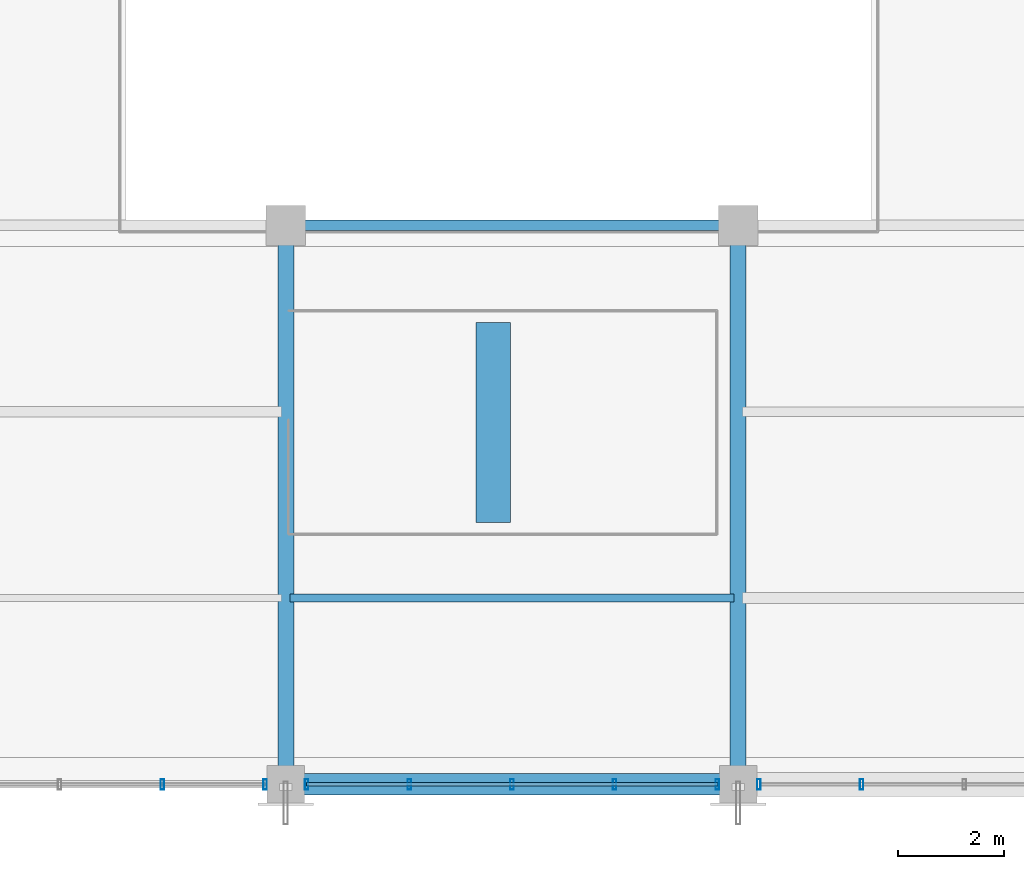
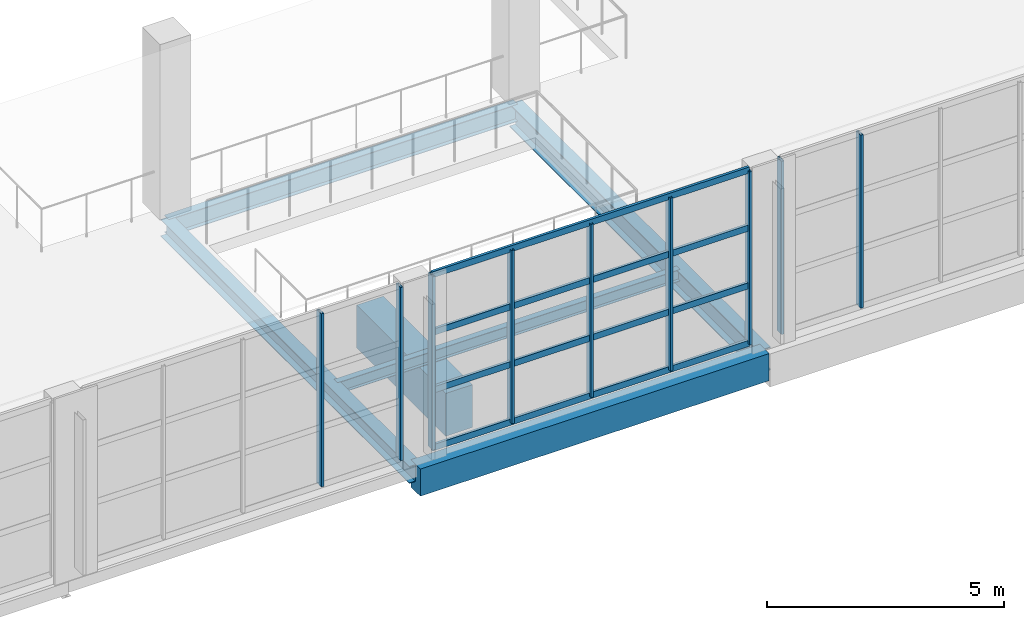
# One storey, part 14 of 101: 13 members, 6 beams, 3 elements without a shape of their own.
"""IFC4 building model written with IfcOpenShell, lengths in metres."""

from ifc_helpers import new_model, si_unit, direction, frame, origin, origin_2d, place, context, subcontext, project, spatial, rectangle, hollow_rectangle, i_section, extrude, material, material_profile, profile_set, type_object, element, aggregate, save


model = new_model("IFC4")

# Units and contexts
model_context = context("Model", 3, precision=1e-05, world=origin(), true_north=direction((0.0, 1.0)))
body_context = subcontext(model_context, "Body", "Model", "MODEL_VIEW")
ifc_project = project(units=[si_unit("LENGTHUNIT", "METRE"), si_unit("AREAUNIT", "SQUARE_METRE"), si_unit("VOLUMEUNIT", "CUBIC_METRE"), si_unit("PLANEANGLEUNIT", "RADIAN"), si_unit("MASSUNIT", "GRAM", prefix="KILO")], contexts=[model_context])

# Site, building, storey
site_placement = place(None, origin())
site = spatial("IfcSite", under=ifc_project, at=site_placement, CompositionType="ELEMENT")
building_placement = place(site_placement, origin())
building = spatial("IfcBuilding", under=site, at=building_placement, Name="Solvikara Media Centre", CompositionType="ELEMENT")
storey_placement = place(building_placement, frame((0.0, 0.0, 10.199951171875)))
storey = spatial("IfcBuildingStorey", under=building, at=storey_placement, Name="L02", CompositionType="ELEMENT", Elevation=10.199951171875)

# Beams
ifc_material_1 = material(Name="Concrete fc' 45 MPa (C45/55)", Category="concrete")
ifc_material_profile_1 = material_profile(ifc_material_1, rectangle(XDim=0.64990234375, YDim=1.10009765625, at=origin_2d()), Name="RC 650x1100")
ifc_profile_set_1 = profile_set([ifc_material_profile_1], Name="Concrete fc' 45 MPa (C45/55)")
beam_type_1 = type_object("IfcBeamType", Name="BM-12", PredefinedType="BEAM", material=ifc_profile_set_1)
beam_1_placement = place(storey_placement, frame((54.89990234375, 4.919921875, -3.239990234375), z_axis=(0.0, 1.0, 0.0), x_axis=(-1.0, 0.0, 0.0)))
element("IfcBeam", 1, at=beam_1_placement, inside=storey, type_object=beam_type_1, Name="B-FOY2-MID", PredefinedType="BEAM", context=body_context, shape_type="SweptSolid", body=[
    extrude(rectangle(XDim=0.64990234375, YDim=1.10009765625, at=origin_2d()), origin(), (0.0, 0.0, 1.0), 3.760009765625),
])
ifc_material_2 = material(Name="Concrete fc' 35 MPa (C35/45)", Category="concrete")
ifc_material_profile_2 = material_profile(ifc_material_2, rectangle(XDim=0.39990234375, YDim=0.699951171875, at=origin_2d()), Name="RC 400x700")
ifc_profile_set_2 = profile_set([ifc_material_profile_2], Name="Concrete fc' 35 MPa (C35/45)")
beam_type_2 = type_object("IfcBeamType", Name="BM-13", PredefinedType="SPANDREL", material=ifc_profile_set_2)
beam_2_placement = place(storey_placement, frame((51.0, 0.0, -0.6298828125), z_axis=(1.0, 0.0, 0.0), x_axis=(0.0, 1.0, 0.0)))
element("IfcBeam", 2, at=beam_2_placement, inside=storey, type_object=beam_type_2, Name="B-L02-X0825", PredefinedType="SPANDREL", context=body_context, shape_type="SweptSolid", body=[
    extrude(rectangle(XDim=0.39990234375, YDim=0.699951171875, at=origin_2d()), origin(), (0.0, 0.0, 1.0), 8.5),
])
ifc_material_3 = material(Name="Steel S355JR", Category="steel")
ifc_material_profile_3 = material_profile(ifc_material_3, i_section(OverallWidth=0.14990234375, OverallDepth=0.300048828125, WebThickness=0.006591796875, FlangeThickness=0.009033203125, at=origin_2d()), Name="WF 300x150x6.5x9")
ifc_profile_set_3 = profile_set([ifc_material_profile_3], Name="Steel S355JR")
beam_type_3 = type_object("IfcBeamType", Name="BM-23", PredefinedType="JOIST", material=ifc_profile_set_3)
beam_3_placement = place(storey_placement, frame((51.077880859375, 3.5, -0.431884765625), z_axis=(1.0, 0.0, 0.0), x_axis=(0.0, 1.0, 0.0)))
element("IfcBeam", 3, at=beam_3_placement, inside=storey, type_object=beam_type_3, Name="J-L02-1107", PredefinedType="JOIST", context=body_context, shape_type="SweptSolid", body=[
    extrude(i_section(OverallWidth=0.14990234375, OverallDepth=0.300048828125, WebThickness=0.006591796875, FlangeThickness=0.009033203125, at=origin_2d()), origin(), (0.0, 0.0, 1.0), 8.34423828125),
])
ifc_material_profile_4 = material_profile(ifc_material_3, i_section(OverallWidth=0.300048828125, OverallDepth=0.43994140625, WebThickness=0.010986328125, FlangeThickness=0.01806640625, at=origin_2d()), Name="H 440x300x11x18")
ifc_profile_set_4 = profile_set([ifc_material_profile_4], Name="Steel S355JR")
beam_type_4 = type_object("IfcBeamType", Name="BM-28", PredefinedType="BEAM", material=ifc_profile_set_4)
beam_4_placement = place(storey_placement, frame((51.0, 0.0, -0.501953125), z_axis=(0.0, 1.0, 0.0), x_axis=(-1.0, 0.0, 0.0)))
element("IfcBeam", 4, at=beam_4_placement, inside=storey, type_object=beam_type_4, Name="B-L02-Y0960", PredefinedType="BEAM", context=body_context, shape_type="SweptSolid", body=[
    extrude(i_section(OverallWidth=0.300048828125, OverallDepth=0.43994140625, WebThickness=0.010986328125, FlangeThickness=0.01806640625, at=origin_2d()), origin(), (0.0, 0.0, 1.0), 10.5),
])
ifc_material_profile_5 = material_profile(ifc_material_3, i_section(OverallWidth=0.302001953125, OverallDepth=0.593994140625, WebThickness=0.013916015625, FlangeThickness=0.02294921875, at=origin_2d()), Name="H 594x302x14x23")
ifc_profile_set_5 = profile_set([ifc_material_profile_5], Name="Steel S355JR")
beam_type_5 = type_object("IfcBeamType", Name="BM-41", PredefinedType="BEAM", material=ifc_profile_set_5)
beam_5_placement = place(storey_placement, frame((59.5, 0.0, -0.578857421875), z_axis=(0.0, 1.0, 0.0), x_axis=(-1.0, 0.0, 0.0)))
element("IfcBeam", 5, at=beam_5_placement, inside=storey, type_object=beam_type_5, Name="B-L02-Y0963", PredefinedType="BEAM", context=body_context, shape_type="SweptSolid", body=[
    extrude(i_section(OverallWidth=0.302001953125, OverallDepth=0.593994140625, WebThickness=0.013916015625, FlangeThickness=0.02294921875, at=origin_2d()), origin(), (0.0, 0.0, 1.0), 10.5),
])
ifc_material_profile_6 = material_profile(ifc_material_3, i_section(OverallWidth=0.198974609375, OverallDepth=0.446044921875, WebThickness=0.008056640625, FlangeThickness=0.011962890625, at=origin_2d()), Name="H 446x199x8x12")
ifc_profile_set_6 = profile_set([ifc_material_profile_6], Name="Steel S355JR")
beam_type_6 = type_object("IfcBeamType", Name="BM-43", PredefinedType="BEAM", material=ifc_profile_set_6)
beam_6_placement = place(storey_placement, frame((51.0, 10.5, -0.5048828125), z_axis=(1.0, 0.0, 0.0), x_axis=(0.0, 1.0, 0.0)))
element("IfcBeam", 6, at=beam_6_placement, inside=storey, type_object=beam_type_6, Name="B-L02-X0839", PredefinedType="BEAM", context=body_context, shape_type="SweptSolid", body=[
    extrude(i_section(OverallWidth=0.198974609375, OverallDepth=0.446044921875, WebThickness=0.008056640625, FlangeThickness=0.011962890625, at=origin_2d()), origin(), (0.0, 0.0, 1.0), 8.5),
])

# Curtain wall, members
ifc_material_4 = material(Name="Anodised aluminium EN AW-6063", Category="aluminium")
curtain_wall_type = type_object("IfcCurtainWallType", Name="CW-04", PredefinedType="NOTDEFINED", material=ifc_material_4)
curtain_wall_1_placement = place(storey_placement, origin())
curtain_wall_1 = element("IfcCurtainWall", 7, at=curtain_wall_1_placement, inside=storey, type_object=curtain_wall_type, Name="CW-L02-V6S-2", PredefinedType="NOTDEFINED")
ifc_material_profile_7 = material_profile(ifc_material_4, hollow_rectangle(XDim=0.06494140625, YDim=0.199951171875, WallThickness=0.00390625, at=origin_2d()), Name="ALU-M 65x200x4")
ifc_profile_set_7 = profile_set([ifc_material_profile_7], Name="Anodised aluminium EN AW-6063")
member_type_1 = type_object("IfcMemberType", Name="MF-02", PredefinedType="MULLION", material=ifc_profile_set_7)
member_1_placement = place(storey_placement, frame((48.679931640625, 0.0, 0.02001953125), z_axis=(0.0, 0.0, 1.0), x_axis=(1.0, 0.0, 0.0)))
member_1 = element("IfcMember", 8, at=member_1_placement, type_object=member_type_1, Name="CW-L02-V6S-2-M03", PredefinedType="MULLION", context=body_context, shape_type="SweptSolid", body=[
    extrude(hollow_rectangle(XDim=0.06494140625, YDim=0.199951171875, WallThickness=0.00390625, at=origin_2d()), origin(), (0.0, 0.0, 1.0), 4.4599609375),
])
member_2_placement = place(storey_placement, frame((50.610107421875, 0.0, 0.02001953125), z_axis=(0.0, 0.0, 1.0), x_axis=(1.0, 0.0, 0.0)))
member_2 = element("IfcMember", 9, at=member_2_placement, type_object=member_type_1, Name="CW-L02-V6S-2-M04", PredefinedType="MULLION", context=body_context, shape_type="SweptSolid", body=[
    extrude(hollow_rectangle(XDim=0.06494140625, YDim=0.199951171875, WallThickness=0.00390625, at=origin_2d()), origin(), (0.0, 0.0, 1.0), 4.4599609375),
])
aggregate(curtain_wall_1, [member_1, member_2])

curtain_wall_2_placement = place(storey_placement, origin())
curtain_wall_2 = element("IfcCurtainWall", 10, at=curtain_wall_2_placement, inside=storey, type_object=curtain_wall_type, Name="CW-L02-V6S-3", PredefinedType="NOTDEFINED")
member_3_placement = place(storey_placement, frame((51.389892578125, 0.0, 0.02001953125), z_axis=(0.0, 0.0, 1.0), x_axis=(1.0, 0.0, 0.0)))
member_3 = element("IfcMember", 11, at=member_3_placement, type_object=member_type_1, Name="CW-L02-V6S-3-M00", PredefinedType="MULLION", context=body_context, shape_type="SweptSolid", body=[
    extrude(hollow_rectangle(XDim=0.06494140625, YDim=0.199951171875, WallThickness=0.00390625, at=origin_2d()), origin(), (0.0, 0.0, 1.0), 4.4599609375),
])
member_4_placement = place(storey_placement, frame((53.320068359375, 0.0, 0.02001953125), z_axis=(0.0, 0.0, 1.0), x_axis=(1.0, 0.0, 0.0)))
member_4 = element("IfcMember", 12, at=member_4_placement, type_object=member_type_1, Name="CW-L02-V6S-3-M01", PredefinedType="MULLION", context=body_context, shape_type="SweptSolid", body=[
    extrude(hollow_rectangle(XDim=0.06494140625, YDim=0.199951171875, WallThickness=0.00390625, at=origin_2d()), origin(), (0.0, 0.0, 1.0), 4.4599609375),
])
member_5_placement = place(storey_placement, frame((55.25, 0.0, 0.02001953125), z_axis=(0.0, 0.0, 1.0), x_axis=(1.0, 0.0, 0.0)))
member_5 = element("IfcMember", 13, at=member_5_placement, type_object=member_type_1, Name="CW-L02-V6S-3-M02", PredefinedType="MULLION", context=body_context, shape_type="SweptSolid", body=[
    extrude(hollow_rectangle(XDim=0.06494140625, YDim=0.199951171875, WallThickness=0.00390625, at=origin_2d()), origin(), (0.0, 0.0, 1.0), 4.4599609375),
])
member_6_placement = place(storey_placement, frame((57.179931640625, 0.0, 0.02001953125), z_axis=(0.0, 0.0, 1.0), x_axis=(1.0, 0.0, 0.0)))
member_6 = element("IfcMember", 14, at=member_6_placement, type_object=member_type_1, Name="CW-L02-V6S-3-M03", PredefinedType="MULLION", context=body_context, shape_type="SweptSolid", body=[
    extrude(hollow_rectangle(XDim=0.06494140625, YDim=0.199951171875, WallThickness=0.00390625, at=origin_2d()), origin(), (0.0, 0.0, 1.0), 4.4599609375),
])
member_7_placement = place(storey_placement, frame((59.110107421875, 0.0, 0.02001953125), z_axis=(0.0, 0.0, 1.0), x_axis=(1.0, 0.0, 0.0)))
member_7 = element("IfcMember", 15, at=member_7_placement, type_object=member_type_1, Name="CW-L02-V6S-3-M04", PredefinedType="MULLION", context=body_context, shape_type="SweptSolid", body=[
    extrude(hollow_rectangle(XDim=0.06494140625, YDim=0.199951171875, WallThickness=0.00390625, at=origin_2d()), origin(), (0.0, 0.0, 1.0), 4.4599609375),
])

curtain_wall_3_placement = place(storey_placement, origin())
curtain_wall_3 = element("IfcCurtainWall", 16, at=curtain_wall_3_placement, inside=storey, type_object=curtain_wall_type, Name="CW-L02-V6S-4", PredefinedType="NOTDEFINED")
member_8_placement = place(storey_placement, frame((59.889892578125, 0.0, 0.02001953125), z_axis=(0.0, 0.0, 1.0), x_axis=(1.0, 0.0, 0.0)))
member_8 = element("IfcMember", 17, at=member_8_placement, type_object=member_type_1, Name="CW-L02-V6S-4-M00", PredefinedType="MULLION", context=body_context, shape_type="SweptSolid", body=[
    extrude(hollow_rectangle(XDim=0.06494140625, YDim=0.199951171875, WallThickness=0.00390625, at=origin_2d()), origin(), (0.0, 0.0, 1.0), 4.4599609375),
])
member_9_placement = place(storey_placement, frame((61.820068359375, 0.0, 0.02001953125), z_axis=(0.0, 0.0, 1.0), x_axis=(1.0, 0.0, 0.0)))
member_9 = element("IfcMember", 18, at=member_9_placement, type_object=member_type_1, Name="CW-L02-V6S-4-M01", PredefinedType="MULLION", context=body_context, shape_type="SweptSolid", body=[
    extrude(hollow_rectangle(XDim=0.06494140625, YDim=0.199951171875, WallThickness=0.00390625, at=origin_2d()), origin(), (0.0, 0.0, 1.0), 4.4599609375),
])
aggregate(curtain_wall_3, [member_8, member_9])

# Member
ifc_material_profile_8 = material_profile(ifc_material_4, hollow_rectangle(XDim=0.06494140625, YDim=0.159912109375, WallThickness=0.00341796875, at=origin_2d()), Name="ALU-T 65x160x3.5")
ifc_profile_set_8 = profile_set([ifc_material_profile_8], Name="Anodised aluminium EN AW-6063")
member_type_2 = type_object("IfcMemberType", Name="MF-08", PredefinedType="USERDEFINED", material=ifc_profile_set_8)
member_10_placement = place(storey_placement, frame((51.389892578125, 0.0, 0.02001953125), z_axis=(1.0, 0.0, 0.0), x_axis=(0.0, 1.0, 0.0)))
member_10 = element("IfcMember", 19, at=member_10_placement, type_object=member_type_2, Name="CW-L02-V6S-3-T00", ObjectType="TRANSOM", PredefinedType="USERDEFINED", context=body_context, shape_type="SweptSolid", body=[
    extrude(hollow_rectangle(XDim=0.06494140625, YDim=0.159912109375, WallThickness=0.00341796875, at=origin_2d()), origin(), (0.0, 0.0, 1.0), 7.72021484375),
])

member_11_placement = place(storey_placement, frame((51.389892578125, 0.0, 1.507080078125), z_axis=(1.0, 0.0, 0.0), x_axis=(0.0, 1.0, 0.0)))
member_11 = element("IfcMember", 20, at=member_11_placement, type_object=member_type_2, Name="CW-L02-V6S-3-T01", ObjectType="TRANSOM", PredefinedType="USERDEFINED", context=body_context, shape_type="SweptSolid", body=[
    extrude(hollow_rectangle(XDim=0.06494140625, YDim=0.159912109375, WallThickness=0.00341796875, at=origin_2d()), origin(), (0.0, 0.0, 1.0), 7.72021484375),
])

member_12_placement = place(storey_placement, frame((51.389892578125, 0.0, 2.9931640625), z_axis=(1.0, 0.0, 0.0), x_axis=(0.0, 1.0, 0.0)))
member_12 = element("IfcMember", 21, at=member_12_placement, type_object=member_type_2, Name="CW-L02-V6S-3-T02", ObjectType="TRANSOM", PredefinedType="USERDEFINED", context=body_context, shape_type="SweptSolid", body=[
    extrude(hollow_rectangle(XDim=0.06494140625, YDim=0.159912109375, WallThickness=0.00341796875, at=origin_2d()), origin(), (0.0, 0.0, 1.0), 7.72021484375),
])

member_13_placement = place(storey_placement, frame((51.389892578125, 0.0, 4.47998046875), z_axis=(1.0, 0.0, 0.0), x_axis=(0.0, 1.0, 0.0)))
member_13 = element("IfcMember", 22, at=member_13_placement, type_object=member_type_2, Name="CW-L02-V6S-3-T03", ObjectType="TRANSOM", PredefinedType="USERDEFINED", context=body_context, shape_type="SweptSolid", body=[
    extrude(hollow_rectangle(XDim=0.06494140625, YDim=0.159912109375, WallThickness=0.00341796875, at=origin_2d()), origin(), (0.0, 0.0, 1.0), 7.72021484375),
])

aggregate(curtain_wall_2, [member_3, member_4, member_5, member_6, member_7, member_10, member_11, member_12, member_13])

save(model, "model.ifc")
